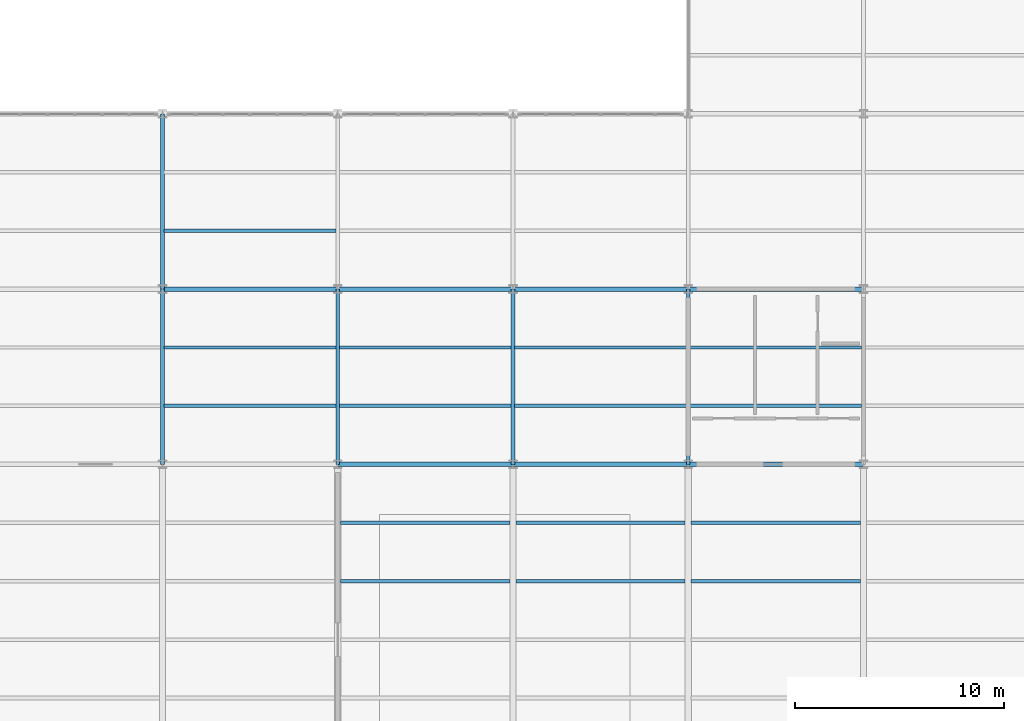
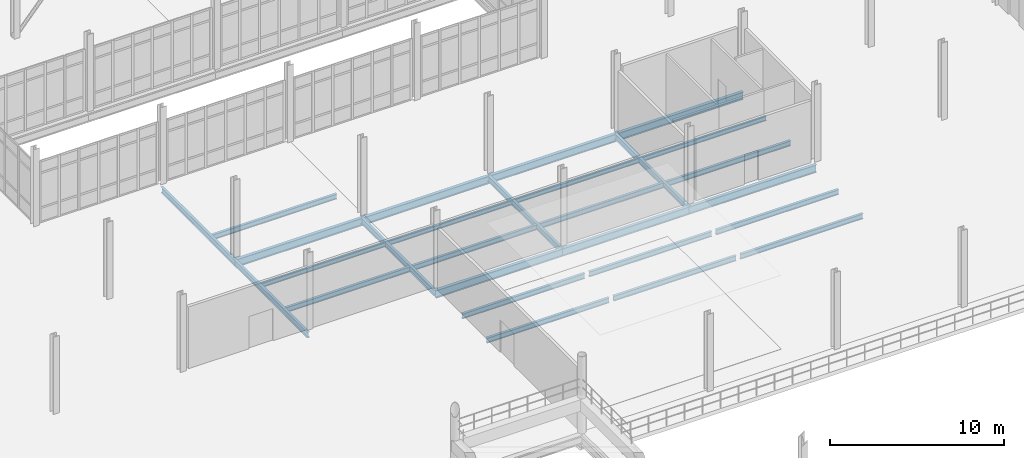
# One storey, part 32 of 111: 27 beams.
"""IFC4 building model written with IfcOpenShell, lengths in metres."""

from ifc_helpers import new_model, si_unit, direction, frame, origin, origin_2d, place, context, subcontext, project, spatial, i_section, extrude, material, material_profile, profile_set, type_object, element, save


model = new_model("IFC4")

# Units and contexts
model_context = context("Model", 3, precision=1e-05, world=origin(), true_north=direction((0.0, 1.0)))
body_context = subcontext(model_context, "Body", "Model", "MODEL_VIEW")
ifc_project = project(units=[si_unit("LENGTHUNIT", "METRE"), si_unit("AREAUNIT", "SQUARE_METRE"), si_unit("VOLUMEUNIT", "CUBIC_METRE"), si_unit("PLANEANGLEUNIT", "RADIAN"), si_unit("MASSUNIT", "GRAM", prefix="KILO"), si_unit("THERMODYNAMICTEMPERATUREUNIT", "KELVIN"), si_unit("POWERUNIT", "WATT")], contexts=[model_context])

# Site, building, storey
site_placement = place(None, origin())
site = spatial("IfcSite", under=ifc_project, at=site_placement, CompositionType="ELEMENT")
building_placement = place(site_placement, origin())
building = spatial("IfcBuilding", under=site, at=building_placement, Name="Tembeka Court Mobility Hub", CompositionType="ELEMENT")
storey_placement = place(building_placement, origin())
storey = spatial("IfcBuildingStorey", under=building, at=storey_placement, Name="L00", CompositionType="ELEMENT", Elevation=0.0)

# Beams
ifc_material = material(Name="Steel S355", Category="steel")
ifc_material_profile_1 = material_profile(ifc_material, i_section(OverallWidth=0.177978515625, OverallDepth=0.406005859375, WebThickness=0.0078125, FlangeThickness=0.0126953125, FilletRadius=0.01025390625, at=origin_2d()), Name="UKB 406x178x60")
ifc_profile_set_1 = profile_set([ifc_material_profile_1], Name="Steel S355")
beam_type_1 = type_object("IfcBeamType", Name="BM-B02", PredefinedType="BEAM", material=ifc_profile_set_1)
beam_1_placement = place(storey_placement, frame((33.60009765625, 38.39990234375, -0.48291015625), z_axis=(0.0, 1.0, 0.0), x_axis=(-1.0, 0.0, 0.0)))
element("IfcBeam", 1, at=beam_1_placement, inside=storey, type_object=beam_type_1, Name="Beam B02 (BM-L00-Y0205)", PredefinedType="BEAM", context=body_context, shape_type="SweptSolid", body=[
    extrude(i_section(OverallWidth=0.177978515625, OverallDepth=0.406005859375, WebThickness=0.0078125, FlangeThickness=0.0126953125, FilletRadius=0.01025390625, at=origin_2d()), origin(), (0.0, 0.0, 1.0), 8.400146484375),
])
beam_2_placement = place(storey_placement, frame((33.60009765625, 46.800048828125, -0.48291015625), z_axis=(0.0, 1.0, 0.0), x_axis=(-1.0, 0.0, 0.0)))
element("IfcBeam", 2, at=beam_2_placement, inside=storey, type_object=beam_type_1, Name="Beam B02 (BM-L00-Y0206)", PredefinedType="BEAM", context=body_context, shape_type="SweptSolid", body=[
    extrude(i_section(OverallWidth=0.177978515625, OverallDepth=0.406005859375, WebThickness=0.0078125, FlangeThickness=0.0126953125, FilletRadius=0.01025390625, at=origin_2d()), origin(), (0.0, 0.0, 1.0), 8.39990234375),
])
for number, where, z_axis, x_axis, name in (
    (3, (42.0, 38.39990234375, -0.48291015625), (0.0, 1.0, 0.0), (-1.0, 0.0, 0.0), "Beam B02 (BM-L00-Y0213)"),
    (4, (50.39990234375, 38.39990234375, -0.48291015625), (0.0, 1.0, 0.0), (-1.0, 0.0, 0.0), "Beam B02 (BM-L00-Y0221)"),
    (5, (58.800048828125, 38.39990234375, -0.48291015625), (0.0, 1.0, 0.0), (-1.0, 0.0, 0.0), "Beam B02 (BM-L00-Y0227)"),
):
    element("IfcBeam", number, at=place(storey_placement, frame(where, z_axis=z_axis, x_axis=x_axis)), inside=storey, type_object=beam_type_1, Name=name, PredefinedType="BEAM", context=body_context, shape_type="SweptSolid", body=[
        extrude(i_section(OverallWidth=0.177978515625, OverallDepth=0.406005859375, WebThickness=0.0078125, FlangeThickness=0.0126953125, FilletRadius=0.01025390625, at=origin_2d()), origin(), (0.0, 0.0, 1.0), 8.400146484375),
    ])
ifc_material_profile_2 = material_profile(ifc_material, i_section(OverallWidth=0.2099609375, OverallDepth=0.537109375, WebThickness=0.0107421875, FlangeThickness=0.017333984375, FilletRadius=0.0126953125, at=origin_2d()), Name="UKB 533x210x101")
ifc_profile_set_2 = profile_set([ifc_material_profile_2], Name="Steel S355")
beam_type_2 = type_object("IfcBeamType", Name="BM-G03", PredefinedType="USERDEFINED", material=ifc_profile_set_2)
beam_3_placement = place(storey_placement, frame((42.0, 38.39990234375, -0.548583984375), z_axis=(1.0, 0.0, 0.0), x_axis=(0.0, 1.0, 0.0)))
element("IfcBeam", 6, at=beam_3_placement, inside=storey, type_object=beam_type_2, Name="Beam G03 (BM-L00-X0046)", ObjectType="GIRDER", PredefinedType="USERDEFINED", context=body_context, shape_type="SweptSolid", body=[
    extrude(i_section(OverallWidth=0.2099609375, OverallDepth=0.537109375, WebThickness=0.0107421875, FlangeThickness=0.017333984375, FilletRadius=0.0126953125, at=origin_2d()), origin(), (0.0, 0.0, 1.0), 8.39990234375),
])
beam_4_placement = place(storey_placement, frame((50.39990234375, 38.39990234375, -0.548583984375), z_axis=(1.0, 0.0, 0.0), x_axis=(0.0, 1.0, 0.0)))
element("IfcBeam", 7, at=beam_4_placement, inside=storey, type_object=beam_type_2, Name="Beam G03 (BM-L00-X0047)", ObjectType="GIRDER", PredefinedType="USERDEFINED", context=body_context, shape_type="SweptSolid", body=[
    extrude(i_section(OverallWidth=0.2099609375, OverallDepth=0.537109375, WebThickness=0.0107421875, FlangeThickness=0.017333984375, FilletRadius=0.0126953125, at=origin_2d()), origin(), (0.0, 0.0, 1.0), 8.400146484375),
])
for number, where, z_axis, x_axis, name in (
    (8, (58.800048828125, 38.39990234375, -0.548583984375), (1.0, 0.0, 0.0), (0.0, 1.0, 0.0), "Beam G03 (BM-L00-X0048)"),
    (9, (33.60009765625, 46.800048828125, -0.548583984375), (1.0, 0.0, 0.0), (0.0, 1.0, 0.0), "Beam G03 (BM-L00-X0062)"),
    (10, (42.0, 46.800048828125, -0.548583984375), (1.0, 0.0, 0.0), (0.0, 1.0, 0.0), "Beam G03 (BM-L00-X0063)"),
):
    element("IfcBeam", number, at=place(storey_placement, frame(where, z_axis=z_axis, x_axis=x_axis)), inside=storey, type_object=beam_type_2, Name=name, ObjectType="GIRDER", PredefinedType="USERDEFINED", context=body_context, shape_type="SweptSolid", body=[
        extrude(i_section(OverallWidth=0.2099609375, OverallDepth=0.537109375, WebThickness=0.0107421875, FlangeThickness=0.017333984375, FilletRadius=0.0126953125, at=origin_2d()), origin(), (0.0, 0.0, 1.0), 8.39990234375),
    ])
beam_5_placement = place(storey_placement, frame((50.39990234375, 46.800048828125, -0.548583984375), z_axis=(1.0, 0.0, 0.0), x_axis=(0.0, 1.0, 0.0)))
element("IfcBeam", 11, at=beam_5_placement, inside=storey, type_object=beam_type_2, Name="Beam G03 (BM-L00-X0064)", ObjectType="GIRDER", PredefinedType="USERDEFINED", context=body_context, shape_type="SweptSolid", body=[
    extrude(i_section(OverallWidth=0.2099609375, OverallDepth=0.537109375, WebThickness=0.0107421875, FlangeThickness=0.017333984375, FilletRadius=0.0126953125, at=origin_2d()), origin(), (0.0, 0.0, 1.0), 8.400146484375),
])
beam_6_placement = place(storey_placement, frame((58.800048828125, 46.800048828125, -0.548583984375), z_axis=(1.0, 0.0, 0.0), x_axis=(0.0, 1.0, 0.0)))
element("IfcBeam", 12, at=beam_6_placement, inside=storey, type_object=beam_type_2, Name="Beam G03 (BM-L00-X0065)", ObjectType="GIRDER", PredefinedType="USERDEFINED", context=body_context, shape_type="SweptSolid", body=[
    extrude(i_section(OverallWidth=0.2099609375, OverallDepth=0.537109375, WebThickness=0.0107421875, FlangeThickness=0.017333984375, FilletRadius=0.0126953125, at=origin_2d()), origin(), (0.0, 0.0, 1.0), 8.39990234375),
])
ifc_material_profile_3 = material_profile(ifc_material, i_section(OverallWidth=0.172119140625, OverallDepth=0.35498046875, WebThickness=0.00732421875, FlangeThickness=0.011474609375, FilletRadius=0.01025390625, at=origin_2d()), Name="UKB 356x171x51")
ifc_profile_set_3 = profile_set([ifc_material_profile_3], Name="Steel S355")
beam_type_3 = type_object("IfcBeamType", Name="BM-J01", PredefinedType="JOIST", material=ifc_profile_set_3)
for number, where, z_axis, x_axis, name in (
    (13, (42.14501953125, 32.800048828125, -0.45751953125), (1.0, 0.0, 0.0), (0.0, 1.0, 0.0), "Beam J01 (JST-L00-0417)"),
    (14, (42.14501953125, 35.60009765625, -0.45751953125), (1.0, 0.0, 0.0), (0.0, 1.0, 0.0), "Beam J01 (JST-L00-0418)"),
):
    element("IfcBeam", number, at=place(storey_placement, frame(where, z_axis=z_axis, x_axis=x_axis)), inside=storey, type_object=beam_type_3, Name=name, PredefinedType="JOIST", context=body_context, shape_type="SweptSolid", body=[
        extrude(i_section(OverallWidth=0.172119140625, OverallDepth=0.35498046875, WebThickness=0.00732421875, FlangeThickness=0.011474609375, FilletRadius=0.01025390625, at=origin_2d()), origin(), (0.0, 0.0, 1.0), 8.10986328125),
    ])
for number, where, z_axis, x_axis, name in (
    (15, (50.544921875, 32.800048828125, -0.45751953125), (1.0, 0.0, 0.0), (0.0, 1.0, 0.0), "Beam J01 (JST-L00-0435)"),
    (16, (50.544921875, 35.60009765625, -0.45751953125), (1.0, 0.0, 0.0), (0.0, 1.0, 0.0), "Beam J01 (JST-L00-0436)"),
):
    element("IfcBeam", number, at=place(storey_placement, frame(where, z_axis=z_axis, x_axis=x_axis)), inside=storey, type_object=beam_type_3, Name=name, PredefinedType="JOIST", context=body_context, shape_type="SweptSolid", body=[
        extrude(i_section(OverallWidth=0.172119140625, OverallDepth=0.35498046875, WebThickness=0.00732421875, FlangeThickness=0.011474609375, FilletRadius=0.01025390625, at=origin_2d()), origin(), (0.0, 0.0, 1.0), 8.110107421875),
    ])
for number, where, z_axis, x_axis, name in (
    (17, (58.945068359375, 32.800048828125, -0.45751953125), (1.0, 0.0, 0.0), (0.0, 1.0, 0.0), "Beam J01 (JST-L00-0453)"),
    (18, (58.945068359375, 35.60009765625, -0.45751953125), (1.0, 0.0, 0.0), (0.0, 1.0, 0.0), "Beam J01 (JST-L00-0454)"),
):
    element("IfcBeam", number, at=place(storey_placement, frame(where, z_axis=z_axis, x_axis=x_axis)), inside=storey, type_object=beam_type_3, Name=name, PredefinedType="JOIST", context=body_context, shape_type="SweptSolid", body=[
        extrude(i_section(OverallWidth=0.172119140625, OverallDepth=0.35498046875, WebThickness=0.00732421875, FlangeThickness=0.011474609375, FilletRadius=0.01025390625, at=origin_2d()), origin(), (0.0, 0.0, 1.0), 8.10986328125),
    ])
ifc_material_profile_4 = material_profile(ifc_material, i_section(OverallWidth=0.1650390625, OverallDepth=0.303955078125, WebThickness=0.006103515625, FlangeThickness=0.01025390625, FilletRadius=0.0087890625, at=origin_2d()), Name="UKB 305x165x40")
ifc_profile_set_4 = profile_set([ifc_material_profile_4], Name="Steel S355")
beam_type_4 = type_object("IfcBeamType", Name="BM-J02", PredefinedType="JOIST", material=ifc_profile_set_4)
for number, where, z_axis, x_axis, name in (
    (19, (33.68408203125, 44.0, -0.431884765625), (1.0, 0.0, 0.0), (0.0, 1.0, 0.0), "Beam J02 (JST-L00-0402)"),
    (20, (42.083984375, 44.0, -0.431884765625), (1.0, 0.0, 0.0), (0.0, 1.0, 0.0), "Beam J02 (JST-L00-0420)"),
):
    element("IfcBeam", number, at=place(storey_placement, frame(where, z_axis=z_axis, x_axis=x_axis)), inside=storey, type_object=beam_type_4, Name=name, PredefinedType="JOIST", context=body_context, shape_type="SweptSolid", body=[
        extrude(i_section(OverallWidth=0.1650390625, OverallDepth=0.303955078125, WebThickness=0.006103515625, FlangeThickness=0.01025390625, FilletRadius=0.0087890625, at=origin_2d()), origin(), (0.0, 0.0, 1.0), 8.23193359375),
    ])
beam_7_placement = place(storey_placement, frame((50.48388671875, 44.0, -0.431884765625), z_axis=(1.0, 0.0, 0.0), x_axis=(0.0, 1.0, 0.0)))
element("IfcBeam", 21, at=beam_7_placement, inside=storey, type_object=beam_type_4, Name="Beam J02 (JST-L00-0438)", PredefinedType="JOIST", context=body_context, shape_type="SweptSolid", body=[
    extrude(i_section(OverallWidth=0.1650390625, OverallDepth=0.303955078125, WebThickness=0.006103515625, FlangeThickness=0.01025390625, FilletRadius=0.0087890625, at=origin_2d()), origin(), (0.0, 0.0, 1.0), 8.232177734375),
])
beam_8_placement = place(storey_placement, frame((58.884033203125, 44.0, -0.431884765625), z_axis=(1.0, 0.0, 0.0), x_axis=(0.0, 1.0, 0.0)))
element("IfcBeam", 22, at=beam_8_placement, inside=storey, type_object=beam_type_4, Name="Beam J02 (JST-L00-0456)", PredefinedType="JOIST", context=body_context, shape_type="SweptSolid", body=[
    extrude(i_section(OverallWidth=0.1650390625, OverallDepth=0.303955078125, WebThickness=0.006103515625, FlangeThickness=0.01025390625, FilletRadius=0.0087890625, at=origin_2d()), origin(), (0.0, 0.0, 1.0), 8.23193359375),
])
ifc_material_profile_5 = material_profile(ifc_material, i_section(OverallWidth=0.169921875, OverallDepth=0.360107421875, WebThickness=0.008056640625, FlangeThickness=0.0126953125, FilletRadius=0.01806640625, at=origin_2d()), Name="IPE 360")
ifc_profile_set_5 = profile_set([ifc_material_profile_5], Name="Steel S355")
beam_type_5 = type_object("IfcBeamType", Name="BM-J03", PredefinedType="JOIST", material=ifc_profile_set_5)
for number, where, z_axis, x_axis, name in (
    (23, (33.68408203125, 41.199951171875, -0.4599609375), (1.0, 0.0, 0.0), (0.0, 1.0, 0.0), "Beam J03 (JST-L00-0401)"),
    (24, (33.68408203125, 49.60009765625, -0.4599609375), (1.0, 0.0, 0.0), (0.0, 1.0, 0.0), "Beam J03 (JST-L00-0403)"),
    (25, (42.083984375, 41.199951171875, -0.4599609375), (1.0, 0.0, 0.0), (0.0, 1.0, 0.0), "Beam J03 (JST-L00-0419)"),
):
    element("IfcBeam", number, at=place(storey_placement, frame(where, z_axis=z_axis, x_axis=x_axis)), inside=storey, type_object=beam_type_5, Name=name, PredefinedType="JOIST", context=body_context, shape_type="SweptSolid", body=[
        extrude(i_section(OverallWidth=0.169921875, OverallDepth=0.360107421875, WebThickness=0.008056640625, FlangeThickness=0.0126953125, FilletRadius=0.01806640625, at=origin_2d()), origin(), (0.0, 0.0, 1.0), 8.23193359375),
    ])
beam_9_placement = place(storey_placement, frame((50.48388671875, 41.199951171875, -0.4599609375), z_axis=(1.0, 0.0, 0.0), x_axis=(0.0, 1.0, 0.0)))
element("IfcBeam", 26, at=beam_9_placement, inside=storey, type_object=beam_type_5, Name="Beam J03 (JST-L00-0437)", PredefinedType="JOIST", context=body_context, shape_type="SweptSolid", body=[
    extrude(i_section(OverallWidth=0.169921875, OverallDepth=0.360107421875, WebThickness=0.008056640625, FlangeThickness=0.0126953125, FilletRadius=0.01806640625, at=origin_2d()), origin(), (0.0, 0.0, 1.0), 8.232177734375),
])
beam_10_placement = place(storey_placement, frame((58.884033203125, 41.199951171875, -0.4599609375), z_axis=(1.0, 0.0, 0.0), x_axis=(0.0, 1.0, 0.0)))
element("IfcBeam", 27, at=beam_10_placement, inside=storey, type_object=beam_type_5, Name="Beam J03 (JST-L00-0455)", PredefinedType="JOIST", context=body_context, shape_type="SweptSolid", body=[
    extrude(i_section(OverallWidth=0.169921875, OverallDepth=0.360107421875, WebThickness=0.008056640625, FlangeThickness=0.0126953125, FilletRadius=0.01806640625, at=origin_2d()), origin(), (0.0, 0.0, 1.0), 8.23193359375),
])

save(model, "model.ifc")
